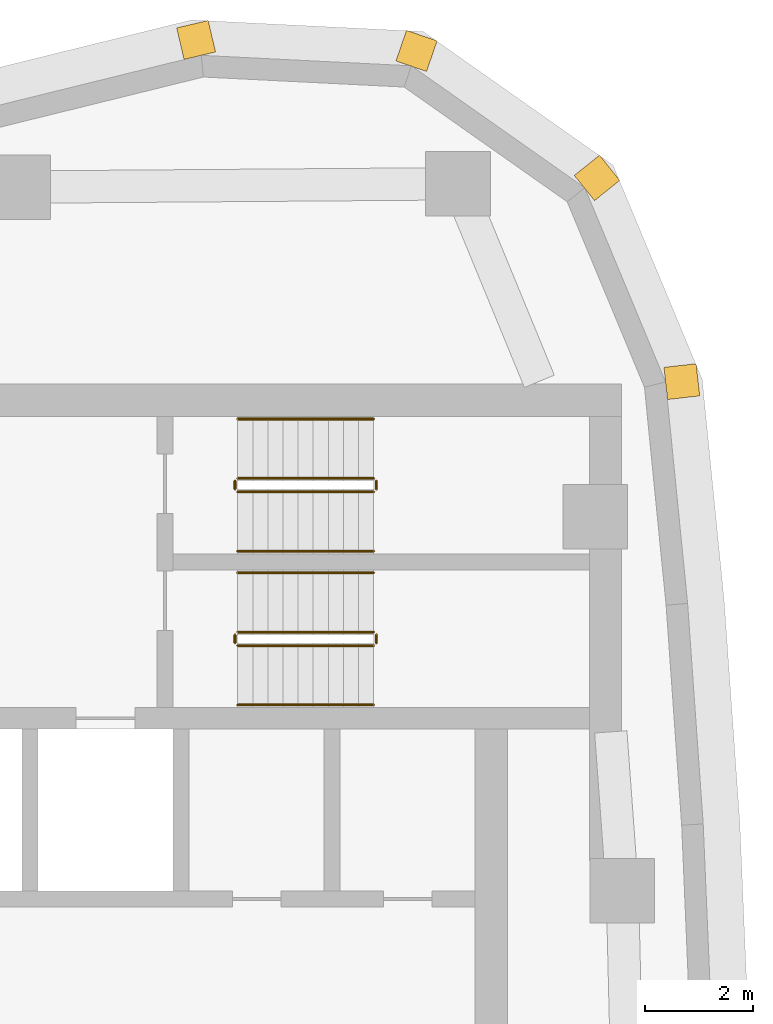
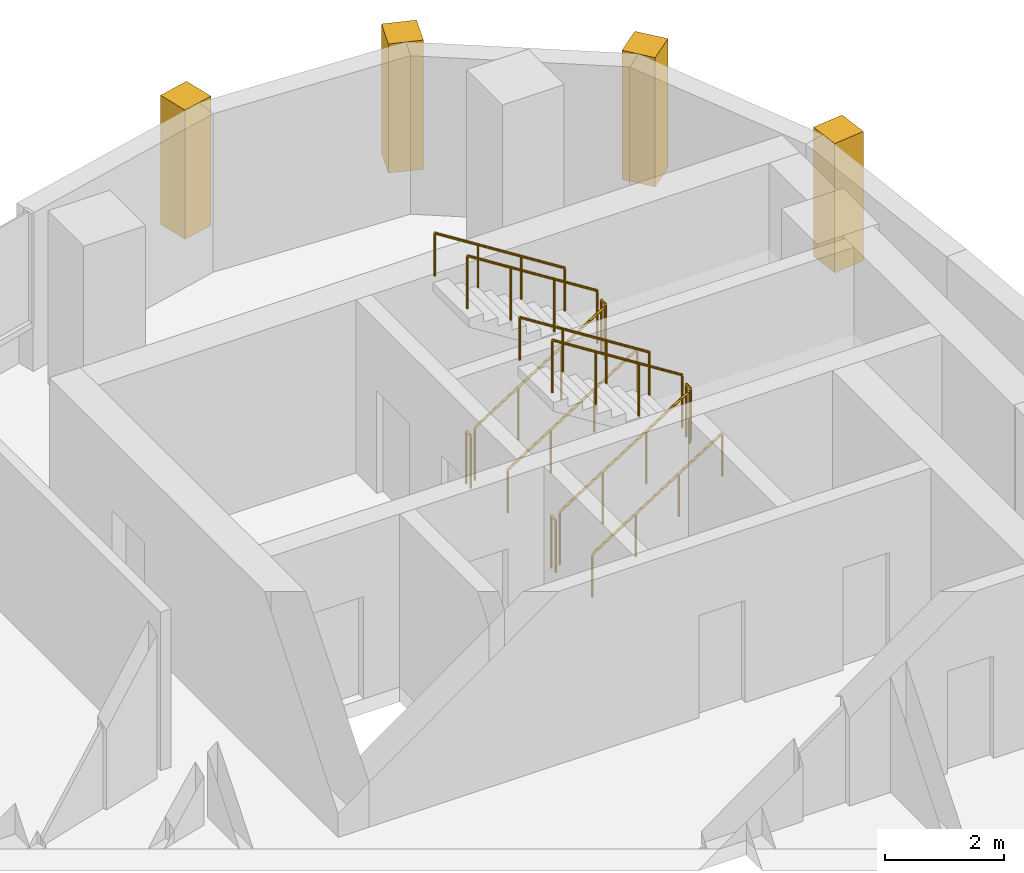
# One storey, part 15 of 15: 12 railings, 4 coverings.
"""IFC4 building model written with IfcOpenShell, lengths in metres."""

from ifc_helpers import new_model, si_unit, direction, frame, frame_2d, origin, origin_2d, place, context, subcontext, project, spatial, rectangle, circle, extrude, material, layer, layer_set, type_object, element, save


model = new_model("IFC4")

# Units and contexts
model_context = context("Model", 3, precision=1e-05, world=origin(), true_north=direction((0.0, 1.0)))
body_context = subcontext(model_context, "Body", "Model", "MODEL_VIEW")
ifc_project = project(units=[si_unit("LENGTHUNIT", "METRE"), si_unit("AREAUNIT", "SQUARE_METRE"), si_unit("VOLUMEUNIT", "CUBIC_METRE"), si_unit("PLANEANGLEUNIT", "RADIAN"), si_unit("MASSUNIT", "GRAM", prefix="KILO")], contexts=[model_context])

# Site, building, storey
site_placement = place(None, origin())
site = spatial("IfcSite", under=ifc_project, at=site_placement, CompositionType="ELEMENT")
building_placement = place(site_placement, origin())
building = spatial("IfcBuilding", under=site, at=building_placement, Name="Ostrand Prow Hotel Tower", CompositionType="ELEMENT")
storey_placement = place(building_placement, frame((0.0, 0.0, 235.0)))
storey = spatial("IfcBuildingStorey", under=building, at=storey_placement, Name="L59", CompositionType="ELEMENT", Elevation=235.0)

# Coverings
ifc_material_1 = material(Name="Limestone cladding", Category="masonry")
ifc_layer = layer(ifc_material_1, 0.60009765625)
ifc_layer_set = layer_set([ifc_layer], Name="Limestone cladding")
covering_type = type_object("IfcCoveringType", Name="Precast stone prow rib 600x600", PredefinedType="CLADDING", material=ifc_layer_set)
for number, where, z_axis, x_axis, name in (
    (1, (65.13623046875, 16.35986328125, 0.60009765625), (0.0, 0.0, 1.0), (0.993628058569, 0.112708833834, 0.0), "Stone corner rib 13a"),
    (2, (63.62744140625, 19.98291015625, 0.60009765625), (0.0, 0.0, 1.0), (0.779994736518, 0.625786074473, 0.0), "Stone corner rib 14a"),
    (3, (60.417236328125, 22.240966796875, 0.60009765625), (0.0, 0.0, 1.0), (0.325489086777, 0.945545797087, 0.0), "Stone corner rib 15a"),
    (4, (56.49755859375, 22.436279296875, 0.60009765625), (0.0, 0.0, 1.0), (-0.229878322855, 0.973219377469, 0.0), "Stone corner rib 15b"),
):
    element("IfcCovering", number, at=place(storey_placement, frame(where, z_axis=z_axis, x_axis=x_axis)), inside=storey, type_object=covering_type, Name=name, PredefinedType="CLADDING", context=body_context, shape_type="SweptSolid", body=[
        extrude(rectangle(XDim=0.60009765625, YDim=0.60009765625, at=frame_2d((0.300048828125, 0.0))), origin(), (0.0, 0.0, 1.0), 2.64990234375),
    ])

# Railings
ifc_material_2 = material(Name="Painted steel", Category="steel")
railing_type_1 = type_object("IfcRailingType", Name="Stair guard 1100", PredefinedType="GUARDRAIL", material=ifc_material_2)
railing_1_placement = place(storey_placement, frame((57.199951171875, 11.5, 0.177490234375)))
element("IfcRailing", 5, at=railing_1_placement, inside=storey, type_object=railing_type_1, Name="L59 ST1C stair guard 1", PredefinedType="GUARDRAIL", context=body_context, shape_type="SweptSolid", body=[
    extrude(circle(Radius=0.02392578125, at=origin_2d()), frame((0.0, 0.0, 1.076171875), z_axis=(0.84460694969, 0.0, 0.535386869969), x_axis=(0.0, 1.0, 0.0)), (0.0, 0.0, 1.0), 2.983642578125),
    extrude(circle(Radius=0.02099609375, at=origin_2d()), origin(), (0.0, 0.0, 1.0), 1.052001953125),
    extrude(circle(Radius=0.02099609375, at=origin_2d()), frame((0.840087890625, 0.0, 0.532470703125)), (0.0, 0.0, 1.0), 1.052001953125),
    extrude(circle(Radius=0.02099609375, at=origin_2d()), frame((1.679931640625, 0.0, 1.06494140625)), (0.0, 0.0, 1.0), 1.052001953125),
    extrude(circle(Radius=0.02099609375, at=origin_2d()), frame((2.52001953125, 0.0, 1.597412109375)), (0.0, 0.0, 1.0), 1.052001953125),
])
railing_2_placement = place(storey_placement, frame((59.77001953125, 11.550048828125, 1.77490234375)))
element("IfcRailing", 6, at=railing_2_placement, inside=storey, type_object=railing_type_1, Name="L59 ST1C stair guard 2", PredefinedType="GUARDRAIL", context=body_context, shape_type="SweptSolid", body=[
    extrude(circle(Radius=0.02392578125, at=origin_2d()), frame((0.0, 0.0, 1.076171875), z_axis=(0.0, 1.0, 0.0), x_axis=(-1.0, 0.0, 0.0)), (0.0, 0.0, 1.0), 0.14990234375),
    extrude(circle(Radius=0.02099609375, at=origin_2d()), origin(), (0.0, 0.0, 1.0), 1.052001953125),
    extrude(circle(Radius=0.02099609375, at=origin_2d()), frame((0.0, 0.14990234375, 0.0)), (0.0, 0.0, 1.0), 1.052001953125),
])
railing_3_placement = place(storey_placement, frame((59.719970703125, 11.75, 1.952392578125)))
element("IfcRailing", 7, at=railing_3_placement, inside=storey, type_object=railing_type_1, Name="L59 ST1C stair guard 3", PredefinedType="GUARDRAIL", context=body_context, shape_type="SweptSolid", body=[
    extrude(circle(Radius=0.02392578125, at=origin_2d()), frame((0.0, 0.0, 1.076171875), z_axis=(-0.84456994832, 0.0, 0.535445237532), x_axis=(0.0, -1.0, 0.0)), (0.0, 0.0, 1.0), 2.98388671875),
    extrude(circle(Radius=0.02099609375, at=origin_2d()), origin(), (0.0, 0.0, 1.0), 1.052001953125),
    extrude(circle(Radius=0.02099609375, at=origin_2d()), frame((-0.840087890625, 0.0, 0.532470703125)), (0.0, 0.0, 1.0), 1.052001953125),
    extrude(circle(Radius=0.02099609375, at=origin_2d()), frame((-1.679931640625, 0.0, 1.065185546875)), (0.0, 0.0, 1.0), 1.052001953125),
    extrude(circle(Radius=0.02099609375, at=origin_2d()), frame((-2.52001953125, 0.0, 1.59765625)), (0.0, 0.0, 1.0), 1.052001953125),
])
railing_4_placement = place(storey_placement, frame((57.14990234375, 11.550048828125, 0.0)))
element("IfcRailing", 8, at=railing_4_placement, inside=storey, type_object=railing_type_1, Name="L59 ST1C stair guard 4", PredefinedType="GUARDRAIL", context=body_context, shape_type="SweptSolid", body=[
    extrude(circle(Radius=0.02392578125, at=origin_2d()), frame((0.0, 0.0, 1.076171875), z_axis=(0.0, 1.0, 0.0), x_axis=(-1.0, 0.0, 0.0)), (0.0, 0.0, 1.0), 0.14990234375),
    extrude(circle(Radius=0.02099609375, at=origin_2d()), origin(), (0.0, 0.0, 1.0), 1.052001953125),
    extrude(circle(Radius=0.02099609375, at=origin_2d()), frame((0.0, 0.14990234375, 0.0)), (0.0, 0.0, 1.0), 1.052001953125),
])
railing_5_placement = place(storey_placement, frame((57.199951171875, 14.35009765625, 0.177490234375)))
element("IfcRailing", 9, at=railing_5_placement, inside=storey, type_object=railing_type_1, Name="L59 ST3C stair guard 1", PredefinedType="GUARDRAIL", context=body_context, shape_type="SweptSolid", body=[
    extrude(circle(Radius=0.02392578125, at=origin_2d()), frame((0.0, 0.0, 1.076171875), z_axis=(0.84460694969, 0.0, 0.535386869969), x_axis=(0.0, 1.0, 0.0)), (0.0, 0.0, 1.0), 2.983642578125),
    extrude(circle(Radius=0.02099609375, at=origin_2d()), origin(), (0.0, 0.0, 1.0), 1.052001953125),
    extrude(circle(Radius=0.02099609375, at=origin_2d()), frame((0.840087890625, 0.0, 0.532470703125)), (0.0, 0.0, 1.0), 1.052001953125),
    extrude(circle(Radius=0.02099609375, at=origin_2d()), frame((1.679931640625, 0.0, 1.06494140625)), (0.0, 0.0, 1.0), 1.052001953125),
    extrude(circle(Radius=0.02099609375, at=origin_2d()), frame((2.52001953125, 0.0, 1.597412109375)), (0.0, 0.0, 1.0), 1.052001953125),
])
railing_6_placement = place(storey_placement, frame((59.77001953125, 14.39990234375, 1.77490234375)))
element("IfcRailing", 10, at=railing_6_placement, inside=storey, type_object=railing_type_1, Name="L59 ST3C stair guard 2", PredefinedType="GUARDRAIL", context=body_context, shape_type="SweptSolid", body=[
    extrude(circle(Radius=0.02392578125, at=origin_2d()), frame((0.0, 0.0, 1.076171875), z_axis=(0.0, 1.0, 0.0), x_axis=(-1.0, 0.0, 0.0)), (0.0, 0.0, 1.0), 0.150146484375),
    extrude(circle(Radius=0.02099609375, at=origin_2d()), origin(), (0.0, 0.0, 1.0), 1.052001953125),
    extrude(circle(Radius=0.02099609375, at=origin_2d()), frame((0.0, 0.150146484375, 0.0)), (0.0, 0.0, 1.0), 1.052001953125),
])
railing_7_placement = place(storey_placement, frame((59.719970703125, 14.60009765625, 1.952392578125)))
element("IfcRailing", 11, at=railing_7_placement, inside=storey, type_object=railing_type_1, Name="L59 ST3C stair guard 3", PredefinedType="GUARDRAIL", context=body_context, shape_type="SweptSolid", body=[
    extrude(circle(Radius=0.02392578125, at=origin_2d()), frame((0.0, 0.0, 1.076171875), z_axis=(-0.84456994832, 0.0, 0.535445237532), x_axis=(0.0, -1.0, 0.0)), (0.0, 0.0, 1.0), 2.98388671875),
    extrude(circle(Radius=0.02099609375, at=origin_2d()), origin(), (0.0, 0.0, 1.0), 1.052001953125),
    extrude(circle(Radius=0.02099609375, at=origin_2d()), frame((-0.840087890625, 0.0, 0.532470703125)), (0.0, 0.0, 1.0), 1.052001953125),
    extrude(circle(Radius=0.02099609375, at=origin_2d()), frame((-1.679931640625, 0.0, 1.065185546875)), (0.0, 0.0, 1.0), 1.052001953125),
    extrude(circle(Radius=0.02099609375, at=origin_2d()), frame((-2.52001953125, 0.0, 1.59765625)), (0.0, 0.0, 1.0), 1.052001953125),
])
railing_8_placement = place(storey_placement, frame((57.14990234375, 14.39990234375, 0.0)))
element("IfcRailing", 12, at=railing_8_placement, inside=storey, type_object=railing_type_1, Name="L59 ST3C stair guard 4", PredefinedType="GUARDRAIL", context=body_context, shape_type="SweptSolid", body=[
    extrude(circle(Radius=0.02392578125, at=origin_2d()), frame((0.0, 0.0, 1.076171875), z_axis=(0.0, 1.0, 0.0), x_axis=(-1.0, 0.0, 0.0)), (0.0, 0.0, 1.0), 0.150146484375),
    extrude(circle(Radius=0.02099609375, at=origin_2d()), origin(), (0.0, 0.0, 1.0), 1.052001953125),
    extrude(circle(Radius=0.02099609375, at=origin_2d()), frame((0.0, 0.150146484375, 0.0)), (0.0, 0.0, 1.0), 1.052001953125),
])
ifc_material_3 = material(Name="Stainless steel", Category="steel")
railing_type_2 = type_object("IfcRailingType", Name="Stair handrail 900", PredefinedType="HANDRAIL", material=ifc_material_3)
railing_9_placement = place(storey_placement, frame((57.199951171875, 10.39990234375, 0.177490234375)))
element("IfcRailing", 13, at=railing_9_placement, inside=storey, type_object=railing_type_2, Name="L59 ST1C stair handrail 1", PredefinedType="HANDRAIL", context=body_context, shape_type="SweptSolid", body=[
    extrude(circle(Radius=0.02392578125, at=origin_2d()), frame((0.0, 0.0, 0.8759765625), z_axis=(0.84460694969, 0.0, 0.535386869969), x_axis=(0.0, 1.0, 0.0)), (0.0, 0.0, 1.0), 2.983642578125),
    extrude(circle(Radius=0.02099609375, at=origin_2d()), origin(), (0.0, 0.0, 1.0), 0.851806640625),
    extrude(circle(Radius=0.02099609375, at=origin_2d()), frame((0.840087890625, 0.0, 0.532470703125)), (0.0, 0.0, 1.0), 0.851806640625),
    extrude(circle(Radius=0.02099609375, at=origin_2d()), frame((1.679931640625, 0.0, 1.06494140625)), (0.0, 0.0, 1.0), 0.851806640625),
    extrude(circle(Radius=0.02099609375, at=origin_2d()), frame((2.52001953125, 0.0, 1.597412109375)), (0.0, 0.0, 1.0), 0.851806640625),
])
railing_10_placement = place(storey_placement, frame((59.719970703125, 12.85009765625, 1.952392578125)))
element("IfcRailing", 14, at=railing_10_placement, inside=storey, type_object=railing_type_2, Name="L59 ST1C stair handrail 2", PredefinedType="HANDRAIL", context=body_context, shape_type="SweptSolid", body=[
    extrude(circle(Radius=0.02392578125, at=origin_2d()), frame((0.0, 0.0, 0.8759765625), z_axis=(-0.84456994832, 0.0, 0.535445237532), x_axis=(0.0, -1.0, 0.0)), (0.0, 0.0, 1.0), 2.98388671875),
    extrude(circle(Radius=0.02099609375, at=origin_2d()), origin(), (0.0, 0.0, 1.0), 0.851806640625),
    extrude(circle(Radius=0.02099609375, at=origin_2d()), frame((-0.840087890625, 0.0, 0.532470703125)), (0.0, 0.0, 1.0), 0.851806640625),
    extrude(circle(Radius=0.02099609375, at=origin_2d()), frame((-1.679931640625, 0.0, 1.065185546875)), (0.0, 0.0, 1.0), 0.851806640625),
    extrude(circle(Radius=0.02099609375, at=origin_2d()), frame((-2.52001953125, 0.0, 1.59765625)), (0.0, 0.0, 1.0), 0.851806640625),
])
railing_11_placement = place(storey_placement, frame((57.199951171875, 13.25, 0.177490234375)))
element("IfcRailing", 15, at=railing_11_placement, inside=storey, type_object=railing_type_2, Name="L59 ST3C stair handrail 1", PredefinedType="HANDRAIL", context=body_context, shape_type="SweptSolid", body=[
    extrude(circle(Radius=0.02392578125, at=origin_2d()), frame((0.0, 0.0, 0.8759765625), z_axis=(0.84460694969, 0.0, 0.535386869969), x_axis=(0.0, 1.0, 0.0)), (0.0, 0.0, 1.0), 2.983642578125),
    extrude(circle(Radius=0.02099609375, at=origin_2d()), origin(), (0.0, 0.0, 1.0), 0.851806640625),
    extrude(circle(Radius=0.02099609375, at=origin_2d()), frame((0.840087890625, 0.0, 0.532470703125)), (0.0, 0.0, 1.0), 0.851806640625),
    extrude(circle(Radius=0.02099609375, at=origin_2d()), frame((1.679931640625, 0.0, 1.06494140625)), (0.0, 0.0, 1.0), 0.851806640625),
    extrude(circle(Radius=0.02099609375, at=origin_2d()), frame((2.52001953125, 0.0, 1.597412109375)), (0.0, 0.0, 1.0), 0.851806640625),
])
railing_12_placement = place(storey_placement, frame((59.719970703125, 15.699951171875, 1.952392578125)))
element("IfcRailing", 16, at=railing_12_placement, inside=storey, type_object=railing_type_2, Name="L59 ST3C stair handrail 2", PredefinedType="HANDRAIL", context=body_context, shape_type="SweptSolid", body=[
    extrude(circle(Radius=0.02392578125, at=origin_2d()), frame((0.0, 0.0, 0.8759765625), z_axis=(-0.84456994832, 0.0, 0.535445237532), x_axis=(0.0, -1.0, 0.0)), (0.0, 0.0, 1.0), 2.98388671875),
    extrude(circle(Radius=0.02099609375, at=origin_2d()), origin(), (0.0, 0.0, 1.0), 0.851806640625),
    extrude(circle(Radius=0.02099609375, at=origin_2d()), frame((-0.840087890625, 0.0, 0.532470703125)), (0.0, 0.0, 1.0), 0.851806640625),
    extrude(circle(Radius=0.02099609375, at=origin_2d()), frame((-1.679931640625, 0.0, 1.065185546875)), (0.0, 0.0, 1.0), 0.851806640625),
    extrude(circle(Radius=0.02099609375, at=origin_2d()), frame((-2.52001953125, 0.0, 1.59765625)), (0.0, 0.0, 1.0), 0.851806640625),
])

save(model, "model.ifc")
